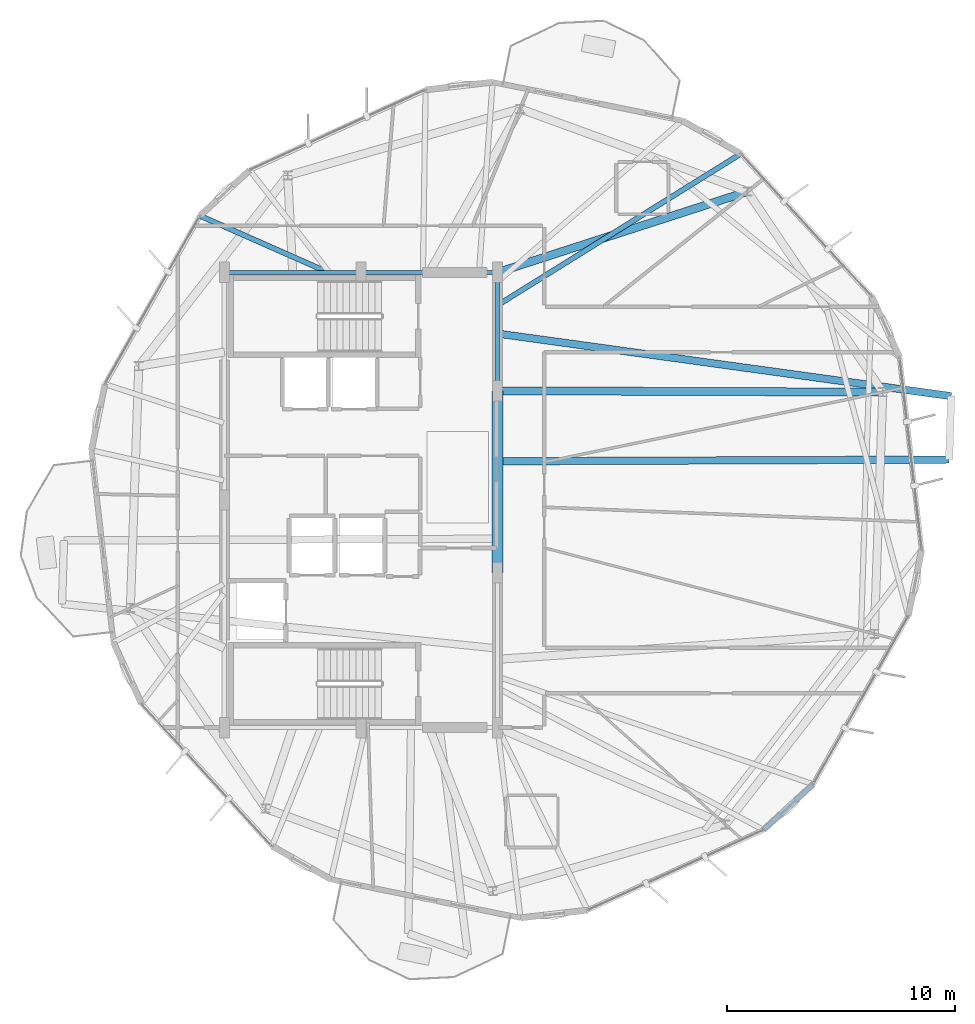
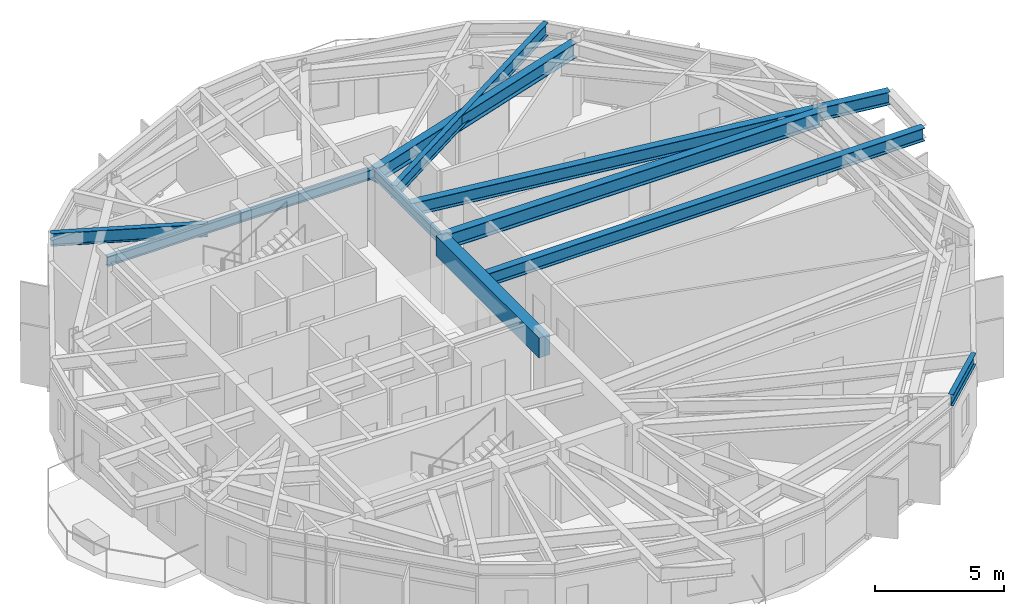
# One storey, part 9 of 23: 11 beams.
"""IFC4 building model written with IfcOpenShell, lengths in metres."""

from ifc_helpers import new_model, si_unit, direction, frame, origin, origin_2d, place, context, subcontext, project, spatial, rectangle, i_section, extrude, material, material_profile, profile_set, type_object, element, save


model = new_model("IFC4")

# Units and contexts
model_context = context("Model", 3, precision=1e-05, world=origin(), true_north=direction((0.0, 1.0)))
body_context = subcontext(model_context, "Body", "Model", "MODEL_VIEW")
ifc_project = project(units=[si_unit("LENGTHUNIT", "METRE"), si_unit("AREAUNIT", "SQUARE_METRE"), si_unit("VOLUMEUNIT", "CUBIC_METRE"), si_unit("PLANEANGLEUNIT", "RADIAN"), si_unit("MASSUNIT", "GRAM", prefix="KILO")], contexts=[model_context])

# Site, building, storey
site_placement = place(None, origin())
site = spatial("IfcSite", under=ifc_project, at=site_placement, CompositionType="ELEMENT")
building_placement = place(site_placement, origin())
building = spatial("IfcBuilding", under=site, at=building_placement, Name="Soratama Intermodal Tower", CompositionType="ELEMENT")
storey_placement = place(building_placement, frame((0.0, 0.0, 261.25)))
storey = spatial("IfcBuildingStorey", under=building, at=storey_placement, Name="L66", CompositionType="ELEMENT", Elevation=261.25)

# Beams
ifc_material_1 = material(Name="Structural steel ASTM A992 Grade 50", Category="steel")
ifc_material_profile_1 = material_profile(ifc_material_1, i_section(OverallWidth=0.324951171875, OverallDepth=0.615966796875, WebThickness=0.013916015625, FlangeThickness=0.021484375, FilletRadius=0.013916015625, at=origin_2d()), Name="W24X117")
ifc_profile_set_1 = profile_set([ifc_material_profile_1], Name="Structural steel ASTM A992 Grade 50")
beam_type_1 = type_object("IfcBeamType", Name="BM-CANT-W24X117", PredefinedType="BEAM", material=ifc_profile_set_1)
beam_1_placement = place(storey_placement, frame((44.8349609375, 26.701904296875, 3.14208984375), z_axis=(0.999992460632, 0.003883127531, 0.0), x_axis=(-0.003883127531, 0.999992460632, 0.0)))
element("IfcBeam", 1, at=beam_1_placement, inside=storey, type_object=beam_type_1, Name="BM-L66-CANT-1-1", PredefinedType="BEAM", context=body_context, shape_type="SweptSolid", body=[
    extrude(i_section(OverallWidth=0.324951171875, OverallDepth=0.615966796875, WebThickness=0.013916015625, FlangeThickness=0.021484375, FilletRadius=0.013916015625, at=origin_2d()), origin(), (0.0, 0.0, 1.0), 19.6162109375),
])
beam_2_placement = place(storey_placement, frame((44.639892578125, 32.30810546875, 3.14208984375), z_axis=(0.990624078984, -0.136616009813, 0.0), x_axis=(0.136616009813, 0.990624078984, 0.0)))
element("IfcBeam", 2, at=beam_2_placement, inside=storey, type_object=beam_type_1, Name="BM-L66-CANT-1-2", PredefinedType="BEAM", context=body_context, shape_type="SweptSolid", body=[
    extrude(i_section(OverallWidth=0.324951171875, OverallDepth=0.615966796875, WebThickness=0.013916015625, FlangeThickness=0.021484375, FilletRadius=0.013916015625, at=origin_2d()), origin(), (0.0, 0.0, 1.0), 20.08642578125),
])
ifc_material_2 = material(Name="Concrete f'c 56 MPa", Category="concrete")
ifc_material_profile_2 = material_profile(ifc_material_2, rectangle(XDim=0.5, YDim=0.949951171875, at=origin_2d()), Name="RC500X950")
ifc_profile_set_2 = profile_set([ifc_material_profile_2], Name="Concrete f'c 56 MPa")
beam_type_2 = type_object("IfcBeamType", Name="BM-CPL-RC500X950", PredefinedType="BEAM", material=ifc_profile_set_2)
beam_3_placement = place(storey_placement, frame((44.60009765625, 21.800048828125, 2.97509765625), z_axis=(0.0, 1.0, 0.0), x_axis=(-1.0, 0.0, 0.0)))
element("IfcBeam", 3, at=beam_3_placement, inside=storey, type_object=beam_type_2, Name="L66 Core Coupling Beam East", PredefinedType="BEAM", context=body_context, shape_type="SweptSolid", body=[
    extrude(rectangle(XDim=0.5, YDim=0.949951171875, at=origin_2d()), origin(), (0.0, 0.0, 1.0), 8.0),
])
ifc_material_3 = material(Name="Structural steel ASTM A992 Grade 50", Category="steel")
ifc_material_profile_3 = material_profile(ifc_material_3, i_section(OverallWidth=0.19091796875, OverallDepth=0.4599609375, WebThickness=0.010009765625, FlangeThickness=0.01611328125, FilletRadius=0.010986328125, at=origin_2d()), Name="W18X55")
ifc_profile_set_3 = profile_set([ifc_material_profile_3], Name="Structural steel ASTM A992 Grade 50")
beam_type_3 = type_object("IfcBeamType", Name="BM-FLR-W18X55", PredefinedType="BEAM", material=ifc_profile_set_3)
beam_4_placement = place(storey_placement, frame((44.60009765625, 29.800048828125, 3.219970703125), z_axis=(0.0, 1.0, 0.0), x_axis=(-1.0, 0.0, 0.0)))
element("IfcBeam", 4, at=beam_4_placement, inside=storey, type_object=beam_type_3, Name="BM-L66-CRING-05", PredefinedType="BEAM", context=body_context, shape_type="SweptSolid", body=[
    extrude(i_section(OverallWidth=0.19091796875, OverallDepth=0.4599609375, WebThickness=0.010009765625, FlangeThickness=0.01611328125, FilletRadius=0.010986328125, at=origin_2d()), origin(), (0.0, 0.0, 1.0), 5.199951171875),
])
for number, where, z_axis, x_axis, name in (
    (5, (44.60009765625, 35.0, 3.219970703125), (-1.0, 0.0, 0.0), (0.0, -1.0, 0.0), "BM-L66-CRING-06"),
    (6, (38.60009765625, 35.0, 3.219970703125), (-1.0, 0.0, 0.0), (0.0, -1.0, 0.0), "BM-L66-CRING-07"),
):
    element("IfcBeam", number, at=place(storey_placement, frame(where, z_axis=z_axis, x_axis=x_axis)), inside=storey, type_object=beam_type_3, Name=name, PredefinedType="BEAM", context=body_context, shape_type="SweptSolid", body=[
        extrude(i_section(OverallWidth=0.19091796875, OverallDepth=0.4599609375, WebThickness=0.010009765625, FlangeThickness=0.01611328125, FilletRadius=0.010986328125, at=origin_2d()), origin(), (0.0, 0.0, 1.0), 6.0),
    ])
ifc_material_4 = material(Name="Structural steel ASTM A992 Grade 50", Category="steel")
ifc_material_profile_4 = material_profile(ifc_material_4, i_section(OverallWidth=0.35498046875, OverallDepth=0.695068359375, WebThickness=0.015380859375, FlangeThickness=0.02490234375, FilletRadius=0.01611328125, at=origin_2d()), Name="W27X146")
ifc_profile_set_4 = profile_set([ifc_material_profile_4], Name="Structural steel ASTM A992 Grade 50")
beam_type_4 = type_object("IfcBeamType", Name="BM-RING-W27X146", PredefinedType="BEAM", material=ifc_profile_set_4)
beam_5_placement = place(storey_placement, frame((44.60009765625, 29.800048828125, 3.1025390625), z_axis=(0.999993913522, -0.003488971138, 0.0), x_axis=(0.003488971138, 0.999993913522, 0.0)))
element("IfcBeam", 7, at=beam_5_placement, inside=storey, type_object=beam_type_4, Name="BM-L66-RAD-01", PredefinedType="BEAM", context=body_context, shape_type="SweptSolid", body=[
    extrude(i_section(OverallWidth=0.35498046875, OverallDepth=0.695068359375, WebThickness=0.015380859375, FlangeThickness=0.02490234375, FilletRadius=0.01611328125, at=origin_2d()), origin(), (0.0, 0.0, 1.0), 16.933837890625),
])
beam_6_placement = place(storey_placement, frame((44.60009765625, 35.0, 3.1025390625), z_axis=(0.95147783512, 0.307717287904, 0.0), x_axis=(-0.307717287904, 0.95147783512, 0.0)))
element("IfcBeam", 8, at=beam_6_placement, inside=storey, type_object=beam_type_4, Name="BM-L66-RAD-02", PredefinedType="BEAM", context=body_context, shape_type="SweptSolid", body=[
    extrude(i_section(OverallWidth=0.35498046875, OverallDepth=0.695068359375, WebThickness=0.015380859375, FlangeThickness=0.02490234375, FilletRadius=0.01611328125, at=origin_2d()), origin(), (0.0, 0.0, 1.0), 11.54931640625),
])
ifc_material_5 = material(Name="Structural steel ASTM A992 Grade 50", Category="steel")
ifc_material_profile_5 = material_profile(ifc_material_5, i_section(OverallWidth=0.2099609375, OverallDepth=0.537109375, WebThickness=0.010986328125, FlangeThickness=0.017333984375, FilletRadius=0.012939453125, at=origin_2d()), Name="W21X68")
ifc_profile_set_5 = profile_set([ifc_material_profile_5], Name="Structural steel ASTM A992 Grade 50")
beam_type_5 = type_object("IfcBeamType", Name="BM-SPN-W21X68", PredefinedType="SPANDREL", material=ifc_profile_set_5)
beam_7_placement = place(storey_placement, frame((56.2919921875, 10.5, 3.181396484375), z_axis=(0.736778310643, 0.676134395639, 0.0), x_axis=(-0.676134395639, 0.736778310643, 0.0)))
element("IfcBeam", 9, at=beam_7_placement, inside=storey, type_object=beam_type_5, Name="BS-L66-CRN07", PredefinedType="SPANDREL", context=body_context, shape_type="SweptSolid", body=[
    extrude(i_section(OverallWidth=0.2099609375, OverallDepth=0.537109375, WebThickness=0.010986328125, FlangeThickness=0.017333984375, FilletRadius=0.012939453125, at=origin_2d()), origin(), (0.0, 0.0, 1.0), 2.967041015625),
])
ifc_material_6 = material(Name="Structural steel ASTM A992 Grade 50", Category="steel")
ifc_material_profile_6 = material_profile(ifc_material_6, i_section(OverallWidth=0.22900390625, OverallDepth=0.612060546875, WebThickness=0.011962890625, FlangeThickness=0.01953125, FilletRadius=0.012939453125, at=origin_2d()), Name="W24X84")
ifc_profile_set_6 = profile_set([ifc_material_profile_6], Name="Structural steel ASTM A992 Grade 50")
beam_type_6 = type_object("IfcBeamType", Name="BM-TIE-W24X84", PredefinedType="BEAM", material=ifc_profile_set_6)
beam_8_placement = place(storey_placement, frame((37.132080078125, 35.01611328125, 3.14404296875), z_axis=(-0.914752986812, 0.404013580363, 0.0), x_axis=(-0.404013580363, -0.914752986812, 0.0)))
element("IfcBeam", 10, at=beam_8_placement, inside=storey, type_object=beam_type_6, Name="BM-L66-TIE0-03", PredefinedType="BEAM", context=body_context, shape_type="SweptSolid", body=[
    extrude(i_section(OverallWidth=0.22900390625, OverallDepth=0.612060546875, WebThickness=0.011962890625, FlangeThickness=0.01953125, FilletRadius=0.012939453125, at=origin_2d()), origin(), (0.0, 0.0, 1.0), 6.1328125),
])
beam_9_placement = place(storey_placement, frame((44.634033203125, 33.577880859375, 3.14404296875), z_axis=(0.848883421158, 0.528580114347, 0.0), x_axis=(-0.528580114347, 0.848883421158, 0.0)))
element("IfcBeam", 11, at=beam_9_placement, inside=storey, type_object=beam_type_6, Name="BM-L66-TIE1-10", PredefinedType="BEAM", context=body_context, shape_type="SweptSolid", body=[
    extrude(i_section(OverallWidth=0.22900390625, OverallDepth=0.612060546875, WebThickness=0.011962890625, FlangeThickness=0.01953125, FilletRadius=0.012939453125, at=origin_2d()), origin(), (0.0, 0.0, 1.0), 12.56591796875),
])

save(model, "model.ifc")
